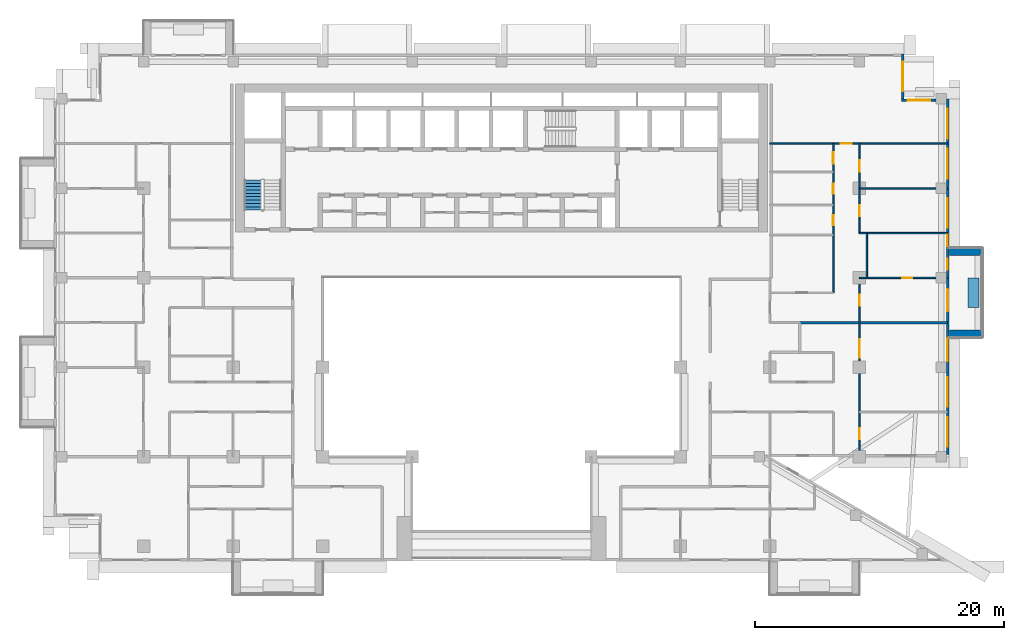
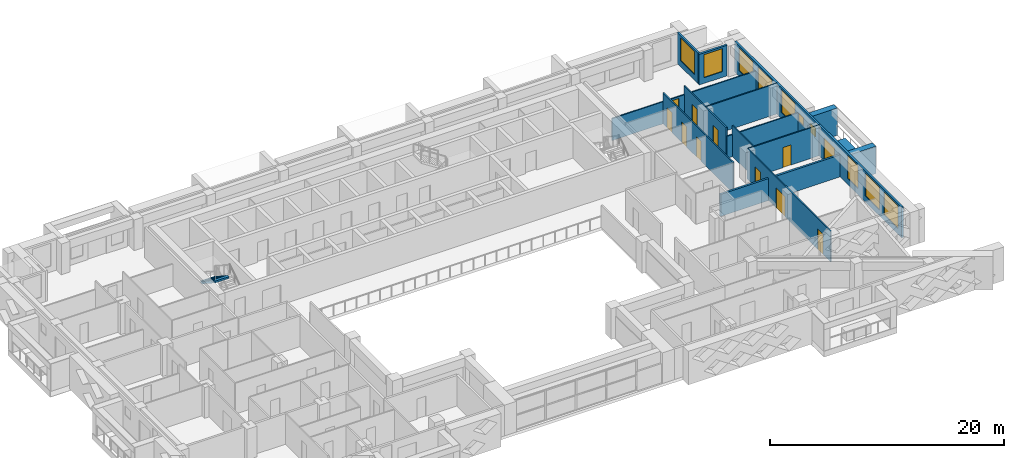
# One storey, part 12 of 20: 15 walls, 11 doors, 10 windows, 1 stair flight, 21 openings, 1 element without a shape of its own.
"""IFC4 building model written with IfcOpenShell, lengths in metres."""

from ifc_helpers import new_model, si_unit, direction, frame, frame_2d, origin, place, context, subcontext, project, spatial, polyline, rectangle, outline, extrude, material, layer, layer_set, type_object, element, fill, aggregate, save


model = new_model("IFC4")

# Units and contexts
model_context = context("Model", 3, precision=1e-05, world=origin(), true_north=direction((0.0, 1.0)))
body_context = subcontext(model_context, "Body", "Model", "MODEL_VIEW")
ifc_project = project(units=[si_unit("LENGTHUNIT", "METRE"), si_unit("AREAUNIT", "SQUARE_METRE"), si_unit("VOLUMEUNIT", "CUBIC_METRE"), si_unit("PLANEANGLEUNIT", "RADIAN"), si_unit("MASSUNIT", "GRAM", prefix="KILO")], contexts=[model_context])

# Site, building, storey
site_placement = place(None, origin())
site = spatial("IfcSite", under=ifc_project, at=site_placement, CompositionType="ELEMENT")
building_placement = place(site_placement, origin())
building = spatial("IfcBuilding", under=site, at=building_placement, Name="Saffron Iwan Residences", CompositionType="ELEMENT")
storey_placement = place(building_placement, frame((0.0, 0.0, 150.0)))
storey = spatial("IfcBuildingStorey", under=building, at=storey_placement, Name="L39", CompositionType="ELEMENT", Elevation=150.0)

# Walls
ifc_material_1 = material(Name="Concrete C50/60 white painted", Category="concrete")
ifc_layer_1 = layer(ifc_material_1, 0.60009765625)
ifc_layer_set_1 = layer_set([ifc_layer_1], Name="Concrete C50/60 white painted")
wall_type_1 = type_object("IfcWallType", Name="BALCONY FIN 600", PredefinedType="SOLIDWALL", material=ifc_layer_set_1)
for number, where, z_axis, x_axis, name in (
    (1, (86.449951171875, 57.89990234375, 0.0), (0.0, 0.0, 1.0), (1.0, 0.0, 0.0), "Balcony fin L39 F2-0a"),
    (2, (86.449951171875, 64.5, 0.0), (0.0, 0.0, 1.0), (1.0, 0.0, 0.0), "Balcony fin L39 F2-0b"),
):
    element("IfcWall", number, at=place(storey_placement, frame(where, z_axis=z_axis, x_axis=x_axis)), inside=storey, type_object=wall_type_1, Name=name, PredefinedType="SOLIDWALL", context=body_context, shape_type="SweptSolid", body=[
        extrude(rectangle(XDim=2.650146484375, YDim=0.60009765625, at=frame_2d((1.3251953125, 0.0))), origin(), (0.0, 0.0, 1.0), 2.85009765625),
    ])
ifc_material_2 = material(Name="Concrete C35/45 white painted", Category="concrete")
ifc_layer_2 = layer(ifc_material_2, 0.14990234375)
ifc_layer_set_2 = layer_set([ifc_layer_2], Name="Concrete C35/45 white painted")
wall_type_2 = type_object("IfcWallType", Name="BALCONY PLANTER", PredefinedType="SOLIDWALL", material=ifc_layer_set_2)
wall_1_placement = place(storey_placement, frame((88.375, 60.0, 0.0), z_axis=(0.0, 0.0, 1.0), x_axis=(0.0, 1.0, 0.0)))
element("IfcWall", 3, at=wall_1_placement, inside=storey, type_object=wall_type_2, Name="PLANTER L39 F2-0", PredefinedType="SOLIDWALL", context=body_context, shape_type="SweptSolid", body=[
    extrude(rectangle(XDim=2.39990234375, YDim=0.89990234375, at=frame_2d((1.199951171875, 0.0))), origin(), (0.0, 0.0, 1.0), 0.89990234375),
])

# Wall, openings, door, windows
ifc_material_3 = material(Name="Concrete C40/50", Category="concrete")
ifc_layer_3 = layer(ifc_material_3, 0.199951171875)
ifc_layer_set_3 = layer_set([ifc_layer_3], Name="Concrete C40/50")
wall_type_3 = type_object("IfcWallType", Name="EXTERNAL WALL 200", PredefinedType="SOLIDWALL", material=ifc_layer_set_3)
wall_2_placement = place(storey_placement, frame((86.300048828125, 48.199951171875, 0.0), z_axis=(0.0, 0.0, 1.0), x_axis=(0.0, 1.0, 0.0)))
wall_2 = element("IfcWall", 4, at=wall_2_placement, inside=storey, type_object=wall_type_3, Name="External wall L39 F2.0", PredefinedType="SOLIDWALL", context=body_context, shape_type="SweptSolid", body=[
    extrude(rectangle(XDim=28.60009765625, YDim=0.199951171875, at=frame_2d((14.300048828125, 0.0))), origin(), (0.0, 0.0, 1.0), 3.199951171875),
])
opening_1_placement = place(wall_2_placement, frame((11.5, 0.0, 0.0)))
opening_1 = element("IfcOpeningElement", 5, at=opening_1_placement, cuts=wall_2, Name="Opening BD1", PredefinedType="OPENING", context=body_context, shape_type="SweptSolid", body=[
    extrude(rectangle(XDim=1.800048828125, YDim=2.39990234375, at=frame_2d((0.89990234375, 1.199951171875))), frame((0.0, 0.10986328125, 0.0), z_axis=(0.0, -1.0, 0.0), x_axis=(1.0, 0.0, 0.0)), (0.0, 0.0, 1.0), 0.219970703125),
])
opening_2_placement = place(wall_2_placement, frame((0.60009765625, 0.0, 0.60009765625)))
opening_2 = element("IfcOpeningElement", 6, at=opening_2_placement, cuts=wall_2, Name="Opening W1", PredefinedType="OPENING", context=body_context, shape_type="SweptSolid", body=[
    extrude(rectangle(XDim=2.39990234375, YDim=2.39990234375, at=frame_2d((1.199951171875, 1.199951171875))), frame((0.0, 0.10986328125, 0.0), z_axis=(0.0, -1.0, 0.0), x_axis=(1.0, 0.0, 0.0)), (0.0, 0.0, 1.0), 0.219970703125),
])
opening_3_placement = place(wall_2_placement, frame((3.8125, 0.0, 0.60009765625)))
opening_3 = element("IfcOpeningElement", 7, at=opening_3_placement, cuts=wall_2, Name="Opening W1", PredefinedType="OPENING", context=body_context, shape_type="SweptSolid", body=[
    extrude(rectangle(XDim=2.39990234375, YDim=2.39990234375, at=frame_2d((1.199951171875, 1.199951171875))), frame((0.0, 0.10986328125, 0.0), z_axis=(0.0, -1.0, 0.0), x_axis=(1.0, 0.0, 0.0)), (0.0, 0.0, 1.0), 0.219970703125),
])
opening_4_placement = place(wall_2_placement, frame((7.487548828125, 0.0, 0.60009765625)))
opening_4 = element("IfcOpeningElement", 8, at=opening_4_placement, cuts=wall_2, Name="Opening W8", PredefinedType="OPENING", context=body_context, shape_type="SweptSolid", body=[
    extrude(rectangle(XDim=1.800048828125, YDim=2.39990234375, at=frame_2d((0.89990234375, 1.199951171875))), frame((0.0, 0.10986328125, 0.0), z_axis=(0.0, -1.0, 0.0), x_axis=(1.0, 0.0, 0.0)), (0.0, 0.0, 1.0), 0.219970703125),
])
opening_5_placement = place(wall_2_placement, frame((14.83740234375, 0.0, 1.5)))
opening_5 = element("IfcOpeningElement", 9, at=opening_5_placement, cuts=wall_2, Name="Opening W6", PredefinedType="OPENING", context=body_context, shape_type="SweptSolid", body=[
    extrude(rectangle(XDim=0.89990234375, YDim=0.89990234375, at=frame_2d((0.449951171875, 0.449951171875))), frame((0.0, 0.10986328125, 0.0), z_axis=(0.0, -1.0, 0.0), x_axis=(1.0, 0.0, 0.0)), (0.0, 0.0, 1.0), 0.219970703125),
])
opening_6_placement = place(wall_2_placement, frame((16.75, 0.0, 1.5)))
opening_6 = element("IfcOpeningElement", 10, at=opening_6_placement, cuts=wall_2, Name="Opening W6", PredefinedType="OPENING", context=body_context, shape_type="SweptSolid", body=[
    extrude(rectangle(XDim=0.89990234375, YDim=0.89990234375, at=frame_2d((0.449951171875, 0.449951171875))), frame((0.0, 0.10986328125, 0.0), z_axis=(0.0, -1.0, 0.0), x_axis=(1.0, 0.0, 0.0)), (0.0, 0.0, 1.0), 0.219970703125),
])
opening_7_placement = place(wall_2_placement, frame((18.21240234375, 0.0, 0.60009765625)))
opening_7 = element("IfcOpeningElement", 11, at=opening_7_placement, cuts=wall_2, Name="Opening W1", PredefinedType="OPENING", context=body_context, shape_type="SweptSolid", body=[
    extrude(rectangle(XDim=2.39990234375, YDim=2.39990234375, at=frame_2d((1.199951171875, 1.199951171875))), frame((0.0, 0.10986328125, 0.0), z_axis=(0.0, -1.0, 0.0), x_axis=(1.0, 0.0, 0.0)), (0.0, 0.0, 1.0), 0.219970703125),
])
opening_8_placement = place(wall_2_placement, frame((22.1875, 0.0, 0.60009765625)))
opening_8 = element("IfcOpeningElement", 12, at=opening_8_placement, cuts=wall_2, Name="Opening W1", PredefinedType="OPENING", context=body_context, shape_type="SweptSolid", body=[
    extrude(rectangle(XDim=2.39990234375, YDim=2.39990234375, at=frame_2d((1.199951171875, 1.199951171875))), frame((0.0, 0.10986328125, 0.0), z_axis=(0.0, -1.0, 0.0), x_axis=(1.0, 0.0, 0.0)), (0.0, 0.0, 1.0), 0.219970703125),
])
opening_9_placement = place(wall_2_placement, frame((25.41259765625, 0.0, 0.60009765625)))
opening_9 = element("IfcOpeningElement", 13, at=opening_9_placement, cuts=wall_2, Name="Opening W1", PredefinedType="OPENING", context=body_context, shape_type="SweptSolid", body=[
    extrude(rectangle(XDim=2.39990234375, YDim=2.39990234375, at=frame_2d((1.199951171875, 1.199951171875))), frame((0.0, 0.10986328125, 0.0), z_axis=(0.0, -1.0, 0.0), x_axis=(1.0, 0.0, 0.0)), (0.0, 0.0, 1.0), 0.219970703125),
])
ifc_material_4 = material(Name="Clear glass, laminated double glazed", Category="glass")
door_type_1 = type_object("IfcDoorType", Name="BALCONY DOOR 1800 x 2400", OperationType="DOUBLE_DOOR_SLIDING", PredefinedType="DOOR", material=ifc_material_4)
door_1_placement = place(opening_1_placement, origin())
door_1 = element("IfcDoor", 14, at=door_1_placement, inside=storey, type_object=door_type_1, Name="Balcony door L39 F2.0", OperationType="DOUBLE_DOOR_SLIDING", OverallHeight=2.39990234375, OverallWidth=1.800048828125, PredefinedType="DOOR", context=body_context, shape_type="SweptSolid", body=[
    extrude(rectangle(XDim=1.800048828125, YDim=2.39990234375, at=frame_2d((0.89990234375, 1.199951171875))), frame((0.0, 0.02490234375, 0.0), z_axis=(0.0, -1.0, 0.0), x_axis=(1.0, 0.0, 0.0)), (0.0, 0.0, 1.0), 0.050048828125),
])
fill(opening_1, door_1)
window_type_1 = type_object("IfcWindowType", Name="WINDOW 1800 x 2400", PartitioningType="DOUBLE_PANEL_VERTICAL", PredefinedType="WINDOW", material=ifc_material_4)
window_1_placement = place(opening_4_placement, origin())
window_1 = element("IfcWindow", 15, at=window_1_placement, inside=storey, type_object=window_type_1, Name="Window L39 F2.3", OverallHeight=2.39990234375, OverallWidth=1.800048828125, PartitioningType="DOUBLE_PANEL_VERTICAL", PredefinedType="WINDOW", context=body_context, shape_type="SweptSolid", body=[
    extrude(rectangle(XDim=1.800048828125, YDim=2.39990234375, at=frame_2d((0.89990234375, 1.199951171875))), frame((0.0, 0.030029296875, 0.0), z_axis=(0.0, -1.0, 0.0), x_axis=(1.0, 0.0, 0.0)), (0.0, 0.0, 1.0), 0.06005859375),
])
fill(opening_4, window_1)
window_type_2 = type_object("IfcWindowType", Name="WINDOW 2400 x 2400", PartitioningType="DOUBLE_PANEL_VERTICAL", PredefinedType="WINDOW", material=ifc_material_4)
window_2_placement = place(opening_2_placement, origin())
window_2 = element("IfcWindow", 16, at=window_2_placement, inside=storey, type_object=window_type_2, Name="Window L39 F2.1", OverallHeight=2.39990234375, OverallWidth=2.39990234375, PartitioningType="DOUBLE_PANEL_VERTICAL", PredefinedType="WINDOW", context=body_context, shape_type="SweptSolid", body=[
    extrude(rectangle(XDim=2.39990234375, YDim=2.39990234375, at=frame_2d((1.199951171875, 1.199951171875))), frame((0.0, 0.030029296875, 0.0), z_axis=(0.0, -1.0, 0.0), x_axis=(1.0, 0.0, 0.0)), (0.0, 0.0, 1.0), 0.06005859375),
])
fill(opening_2, window_2)
window_3_placement = place(opening_3_placement, origin())
window_3 = element("IfcWindow", 17, at=window_3_placement, inside=storey, type_object=window_type_2, Name="Window L39 F2.2", OverallHeight=2.39990234375, OverallWidth=2.39990234375, PartitioningType="DOUBLE_PANEL_VERTICAL", PredefinedType="WINDOW", context=body_context, shape_type="SweptSolid", body=[
    extrude(rectangle(XDim=2.39990234375, YDim=2.39990234375, at=frame_2d((1.199951171875, 1.199951171875))), frame((0.0, 0.030029296875, 0.0), z_axis=(0.0, -1.0, 0.0), x_axis=(1.0, 0.0, 0.0)), (0.0, 0.0, 1.0), 0.06005859375),
])
fill(opening_3, window_3)
window_4_placement = place(opening_7_placement, origin())
window_4 = element("IfcWindow", 18, at=window_4_placement, inside=storey, type_object=window_type_2, Name="Window L39 F2.6", OverallHeight=2.39990234375, OverallWidth=2.39990234375, PartitioningType="DOUBLE_PANEL_VERTICAL", PredefinedType="WINDOW", context=body_context, shape_type="SweptSolid", body=[
    extrude(rectangle(XDim=2.39990234375, YDim=2.39990234375, at=frame_2d((1.199951171875, 1.199951171875))), frame((0.0, 0.030029296875, 0.0), z_axis=(0.0, -1.0, 0.0), x_axis=(1.0, 0.0, 0.0)), (0.0, 0.0, 1.0), 0.06005859375),
])
fill(opening_7, window_4)
window_5_placement = place(opening_8_placement, origin())
window_5 = element("IfcWindow", 19, at=window_5_placement, inside=storey, type_object=window_type_2, Name="Window L39 F2.7", OverallHeight=2.39990234375, OverallWidth=2.39990234375, PartitioningType="DOUBLE_PANEL_VERTICAL", PredefinedType="WINDOW", context=body_context, shape_type="SweptSolid", body=[
    extrude(rectangle(XDim=2.39990234375, YDim=2.39990234375, at=frame_2d((1.199951171875, 1.199951171875))), frame((0.0, 0.030029296875, 0.0), z_axis=(0.0, -1.0, 0.0), x_axis=(1.0, 0.0, 0.0)), (0.0, 0.0, 1.0), 0.06005859375),
])
fill(opening_8, window_5)
window_6_placement = place(opening_9_placement, origin())
window_6 = element("IfcWindow", 20, at=window_6_placement, inside=storey, type_object=window_type_2, Name="Window L39 F2.8", OverallHeight=2.39990234375, OverallWidth=2.39990234375, PartitioningType="DOUBLE_PANEL_VERTICAL", PredefinedType="WINDOW", context=body_context, shape_type="SweptSolid", body=[
    extrude(rectangle(XDim=2.39990234375, YDim=2.39990234375, at=frame_2d((1.199951171875, 1.199951171875))), frame((0.0, 0.030029296875, 0.0), z_axis=(0.0, -1.0, 0.0), x_axis=(1.0, 0.0, 0.0)), (0.0, 0.0, 1.0), 0.06005859375),
])
fill(opening_9, window_6)
window_type_3 = type_object("IfcWindowType", Name="WINDOW 900 x 900 BATH", PartitioningType="SINGLE_PANEL", PredefinedType="WINDOW", material=ifc_material_4)
window_7_placement = place(opening_5_placement, origin())
window_7 = element("IfcWindow", 21, at=window_7_placement, inside=storey, type_object=window_type_3, Name="Window L39 F2.4", OverallHeight=0.89990234375, OverallWidth=0.89990234375, PartitioningType="SINGLE_PANEL", PredefinedType="WINDOW", context=body_context, shape_type="SweptSolid", body=[
    extrude(rectangle(XDim=0.89990234375, YDim=0.89990234375, at=frame_2d((0.449951171875, 0.449951171875))), frame((0.0, 0.030029296875, 0.0), z_axis=(0.0, -1.0, 0.0), x_axis=(1.0, 0.0, 0.0)), (0.0, 0.0, 1.0), 0.06005859375),
])
fill(opening_5, window_7)
window_8_placement = place(opening_6_placement, origin())
window_8 = element("IfcWindow", 22, at=window_8_placement, inside=storey, type_object=window_type_3, Name="Window L39 F2.5", OverallHeight=0.89990234375, OverallWidth=0.89990234375, PartitioningType="SINGLE_PANEL", PredefinedType="WINDOW", context=body_context, shape_type="SweptSolid", body=[
    extrude(rectangle(XDim=0.89990234375, YDim=0.89990234375, at=frame_2d((0.449951171875, 0.449951171875))), frame((0.0, 0.030029296875, 0.0), z_axis=(0.0, -1.0, 0.0), x_axis=(1.0, 0.0, 0.0)), (0.0, 0.0, 1.0), 0.06005859375),
])
fill(opening_6, window_8)

# Wall, opening, window
wall_3_placement = place(storey_placement, frame((85.375, 76.699951171875, 0.0), z_axis=(0.0, 0.0, 1.0), x_axis=(-1.0, 0.0, 0.0)))
wall_3 = element("IfcWall", 23, at=wall_3_placement, inside=storey, type_object=wall_type_3, Name="External wall L39 F3.0", PredefinedType="SOLIDWALL", context=body_context, shape_type="SweptSolid", body=[
    extrude(rectangle(XDim=2.77490234375, YDim=0.199951171875, at=frame_2d((1.387451171875, 0.0))), origin(), (0.0, 0.0, 1.0), 3.199951171875),
])
opening_10_placement = place(wall_3_placement, frame((0.487548828125, 0.0, 0.60009765625)))
opening_10 = element("IfcOpeningElement", 24, at=opening_10_placement, cuts=wall_3, Name="Opening W8", PredefinedType="OPENING", context=body_context, shape_type="SweptSolid", body=[
    extrude(rectangle(XDim=1.800048828125, YDim=2.39990234375, at=frame_2d((0.89990234375, 1.199951171875))), frame((0.0, 0.10986328125, 0.0), z_axis=(0.0, -1.0, 0.0), x_axis=(1.0, 0.0, 0.0)), (0.0, 0.0, 1.0), 0.219970703125),
])
window_9_placement = place(opening_10_placement, origin())
window_9 = element("IfcWindow", 25, at=window_9_placement, inside=storey, type_object=window_type_1, Name="Window L39 F3.0", OverallHeight=2.39990234375, OverallWidth=1.800048828125, PartitioningType="DOUBLE_PANEL_VERTICAL", PredefinedType="WINDOW", context=body_context, shape_type="SweptSolid", body=[
    extrude(rectangle(XDim=1.800048828125, YDim=2.39990234375, at=frame_2d((0.89990234375, 1.199951171875))), frame((0.0, 0.030029296875, 0.0), z_axis=(0.0, -1.0, 0.0), x_axis=(1.0, 0.0, 0.0)), (0.0, 0.0, 1.0), 0.06005859375),
])
fill(opening_10, window_9)

wall_4_placement = place(storey_placement, frame((82.699951171875, 76.800048828125, 0.0), z_axis=(0.0, 0.0, 1.0), x_axis=(0.0, 1.0, 0.0)))
wall_4 = element("IfcWall", 26, at=wall_4_placement, inside=storey, type_object=wall_type_3, Name="External wall L39 F4.0", PredefinedType="SOLIDWALL", context=body_context, shape_type="SweptSolid", body=[
    extrude(rectangle(XDim=3.599853515625, YDim=0.199951171875, at=frame_2d((1.7998046875, 0.0))), origin(), (0.0, 0.0, 1.0), 3.199951171875),
])
opening_11_placement = place(wall_4_placement, frame((0.60009765625, 0.0, 0.60009765625)))
opening_11 = element("IfcOpeningElement", 27, at=opening_11_placement, cuts=wall_4, Name="Opening W1", PredefinedType="OPENING", context=body_context, shape_type="SweptSolid", body=[
    extrude(rectangle(XDim=2.39990234375, YDim=2.39990234375, at=frame_2d((1.199951171875, 1.199951171875))), frame((0.0, 0.10986328125, 0.0), z_axis=(0.0, -1.0, 0.0), x_axis=(1.0, 0.0, 0.0)), (0.0, 0.0, 1.0), 0.219970703125),
])
window_10_placement = place(opening_11_placement, origin())
window_10 = element("IfcWindow", 28, at=window_10_placement, inside=storey, type_object=window_type_2, Name="Window L39 F4.0", OverallHeight=2.39990234375, OverallWidth=2.39990234375, PartitioningType="DOUBLE_PANEL_VERTICAL", PredefinedType="WINDOW", context=body_context, shape_type="SweptSolid", body=[
    extrude(rectangle(XDim=2.39990234375, YDim=2.39990234375, at=frame_2d((1.199951171875, 1.199951171875))), frame((0.0, 0.030029296875, 0.0), z_axis=(0.0, -1.0, 0.0), x_axis=(1.0, 0.0, 0.0)), (0.0, 0.0, 1.0), 0.06005859375),
])
fill(opening_11, window_10)

# Wall
ifc_material_5 = material(Name="Fire-rated gypsum board wall")
ifc_layer_4 = layer(ifc_material_5, 0.199951171875)
ifc_layer_set_4 = layer_set([ifc_layer_4], Name="Fire-rated gypsum board wall")
wall_type_4 = type_object("IfcWallType", Name="Flat demising wall 200", PredefinedType="SOLIDWALL", material=ifc_layer_set_4)
wall_5_placement = place(storey_placement, frame((74.39990234375, 58.800048828125, 0.0), z_axis=(0.0, 0.0, 1.0), x_axis=(1.0, 0.0, 0.0)))
element("IfcWall", 29, at=wall_5_placement, inside=storey, type_object=wall_type_4, Name="W-L39-DEMISE-h58.8-74.4", PredefinedType="SOLIDWALL", context=body_context, shape_type="SweptSolid", body=[
    extrude(rectangle(XDim=11.875, YDim=0.199951171875, at=frame_2d((5.9375, 0.0))), origin(), (0.0, 0.0, 1.0), 2.300048828125),
])

# Wall, opening, door
ifc_material_6 = material(Name="Gypsum board partition")
ifc_layer_5 = layer(ifc_material_6, 0.1201171875)
ifc_layer_set_5 = layer_set([ifc_layer_5], Name="Gypsum board partition")
wall_type_5 = type_object("IfcWallType", Name="Flat partition 120", PredefinedType="PARTITIONING", material=ifc_layer_set_5)
wall_6_placement = place(storey_placement, frame((79.199951171875, 62.39990234375, 0.0), z_axis=(0.0, 0.0, 1.0), x_axis=(1.0, 0.0, 0.0)))
wall_6 = element("IfcWall", 30, at=wall_6_placement, inside=storey, type_object=wall_type_5, Name="W-L39-PART-h62.4-79.2", PredefinedType="PARTITIONING", context=body_context, shape_type="SweptSolid", body=[
    extrude(rectangle(XDim=7.074951171875, YDim=0.1201171875, at=frame_2d((3.53759765625, 0.0))), origin(), (0.0, 0.0, 1.0), 3.199951171875),
])
opening_12_placement = place(wall_6_placement, frame((3.4375, 0.0, 0.0)))
opening_12 = element("IfcOpeningElement", 31, at=opening_12_placement, cuts=wall_6, Name="Opening FD3", PredefinedType="OPENING", context=body_context, shape_type="SweptSolid", body=[
    extrude(rectangle(XDim=0.800048828125, YDim=2.10009765625, at=frame_2d((0.39990234375, 1.050048828125))), frame((0.0, 0.070068359375, 0.0), z_axis=(0.0, -1.0, 0.0), x_axis=(1.0, 0.0, 0.0)), (0.0, 0.0, 1.0), 0.14013671875),
])
ifc_material_7 = material(Name="Timber door", Category="wood")
door_type_2 = type_object("IfcDoorType", Name="Bathroom door 800", OperationType="NOTDEFINED", PredefinedType="DOOR", material=ifc_material_7)
door_2_placement = place(opening_12_placement, origin())
door_2 = element("IfcDoor", 32, at=door_2_placement, inside=storey, type_object=door_type_2, Name="Door L39-033", OperationType="SINGLE_SWING_LEFT", OverallHeight=2.10009765625, OverallWidth=0.800048828125, PredefinedType="DOOR", context=body_context, shape_type="SweptSolid", body=[
    extrude(rectangle(XDim=0.800048828125, YDim=2.10009765625, at=frame_2d((0.39990234375, 1.050048828125))), frame((0.0, 0.02490234375, 0.0), z_axis=(0.0, -1.0, 0.0), x_axis=(1.0, 0.0, 0.0)), (0.0, 0.0, 1.0), 0.050048828125),
])
fill(opening_12, door_2)

# Walls
wall_7_placement = place(storey_placement, frame((79.199951171875, 66.0, 0.0), z_axis=(0.0, 0.0, 1.0), x_axis=(1.0, 0.0, 0.0)))
element("IfcWall", 33, at=wall_7_placement, inside=storey, type_object=wall_type_5, Name="W-L39-PART-h66-79.2", PredefinedType="PARTITIONING", context=body_context, shape_type="SweptSolid", body=[
    extrude(rectangle(XDim=7.074951171875, YDim=0.1201171875, at=frame_2d((3.53759765625, 0.0))), origin(), (0.0, 0.0, 1.0), 2.300048828125),
])
wall_8_placement = place(storey_placement, frame((79.199951171875, 69.60009765625, 0.0), z_axis=(0.0, 0.0, 1.0), x_axis=(1.0, 0.0, 0.0)))
element("IfcWall", 34, at=wall_8_placement, inside=storey, type_object=wall_type_5, Name="W-L39-PART-h69.6-79.2", PredefinedType="PARTITIONING", context=body_context, shape_type="SweptSolid", body=[
    extrude(rectangle(XDim=7.074951171875, YDim=0.1201171875, at=frame_2d((3.53759765625, 0.0))), origin(), (0.0, 0.0, 1.0), 3.199951171875),
])

# Wall, opening, door
wall_9_placement = place(storey_placement, frame((72.0, 73.199951171875, 0.0), z_axis=(0.0, 0.0, 1.0), x_axis=(1.0, 0.0, 0.0)))
wall_9 = element("IfcWall", 35, at=wall_9_placement, inside=storey, type_object=wall_type_5, Name="W-L39-PART-h73.2-72", PredefinedType="PARTITIONING", context=body_context, shape_type="SweptSolid", body=[
    extrude(rectangle(XDim=14.27490234375, YDim=0.1201171875, at=frame_2d((7.137451171875, 0.0))), origin(), (0.0, 0.0, 1.0), 2.300048828125),
])
opening_13_placement = place(wall_9_placement, frame((5.699951171875, 0.0, 0.0)))
opening_13 = element("IfcOpeningElement", 36, at=opening_13_placement, cuts=wall_9, Name="Opening FD2", PredefinedType="OPENING", context=body_context, shape_type="SweptSolid", body=[
    extrude(rectangle(XDim=0.89990234375, YDim=2.10009765625, at=frame_2d((0.449951171875, 1.050048828125))), frame((0.0, 0.070068359375, 0.0), z_axis=(0.0, -1.0, 0.0), x_axis=(1.0, 0.0, 0.0)), (0.0, 0.0, 1.0), 0.14013671875),
])
door_type_3 = type_object("IfcDoorType", Name="Flat door 900", OperationType="NOTDEFINED", PredefinedType="DOOR", material=ifc_material_7)
door_3_placement = place(opening_13_placement, origin())
door_3 = element("IfcDoor", 37, at=door_3_placement, inside=storey, type_object=door_type_3, Name="Door L39-036", OperationType="SINGLE_SWING_LEFT", OverallHeight=2.10009765625, OverallWidth=0.89990234375, PredefinedType="DOOR", context=body_context, shape_type="SweptSolid", body=[
    extrude(rectangle(XDim=0.89990234375, YDim=2.10009765625, at=frame_2d((0.449951171875, 1.050048828125))), frame((0.0, 0.02490234375, 0.0), z_axis=(0.0, -1.0, 0.0), x_axis=(1.0, 0.0, 0.0)), (0.0, 0.0, 1.0), 0.050048828125),
])
fill(opening_13, door_3)

# Wall, openings, doors
wall_10_placement = place(storey_placement, frame((77.10009765625, 61.199951171875, 0.0), z_axis=(0.0, 0.0, 1.0), x_axis=(0.0, 1.0, 0.0)))
wall_10 = element("IfcWall", 38, at=wall_10_placement, inside=storey, type_object=wall_type_5, Name="W-L39-PART-v77.1-61.2", PredefinedType="PARTITIONING", context=body_context, shape_type="SweptSolid", body=[
    extrude(rectangle(XDim=12.0, YDim=0.1201171875, at=frame_2d((6.0, 0.0))), origin(), (0.0, 0.0, 1.0), 3.199951171875),
])
opening_14_placement = place(wall_10_placement, frame((5.449951171875, 0.0, 0.0)))
opening_14 = element("IfcOpeningElement", 39, at=opening_14_placement, cuts=wall_10, Name="Opening FD3", PredefinedType="OPENING", context=body_context, shape_type="SweptSolid", body=[
    extrude(rectangle(XDim=0.800048828125, YDim=2.10009765625, at=frame_2d((0.39990234375, 1.050048828125))), frame((0.0, 0.070068359375, 0.0), z_axis=(0.0, -1.0, 0.0), x_axis=(1.0, 0.0, 0.0)), (0.0, 0.0, 1.0), 0.14013671875),
])
opening_15_placement = place(wall_10_placement, frame((7.97509765625, 0.0, 0.0)))
opening_15 = element("IfcOpeningElement", 40, at=opening_15_placement, cuts=wall_10, Name="Opening FD3", PredefinedType="OPENING", context=body_context, shape_type="SweptSolid", body=[
    extrude(rectangle(XDim=0.800048828125, YDim=2.10009765625, at=frame_2d((0.39990234375, 1.050048828125))), frame((0.0, 0.070068359375, 0.0), z_axis=(0.0, -1.0, 0.0), x_axis=(1.0, 0.0, 0.0)), (0.0, 0.0, 1.0), 0.14013671875),
])
opening_16_placement = place(wall_10_placement, frame((10.39990234375, 0.0, 0.0)))
opening_16 = element("IfcOpeningElement", 41, at=opening_16_placement, cuts=wall_10, Name="Opening FD2", PredefinedType="OPENING", context=body_context, shape_type="SweptSolid", body=[
    extrude(rectangle(XDim=0.89990234375, YDim=2.10009765625, at=frame_2d((0.449951171875, 1.050048828125))), frame((0.0, 0.070068359375, 0.0), z_axis=(0.0, -1.0, 0.0), x_axis=(1.0, 0.0, 0.0)), (0.0, 0.0, 1.0), 0.14013671875),
])
door_4_placement = place(opening_14_placement, origin())
door_4 = element("IfcDoor", 42, at=door_4_placement, inside=storey, type_object=door_type_2, Name="Door L39-038", OperationType="SINGLE_SWING_LEFT", OverallHeight=2.10009765625, OverallWidth=0.800048828125, PredefinedType="DOOR", context=body_context, shape_type="SweptSolid", body=[
    extrude(rectangle(XDim=0.800048828125, YDim=2.10009765625, at=frame_2d((0.39990234375, 1.050048828125))), frame((0.0, 0.02490234375, 0.0), z_axis=(0.0, -1.0, 0.0), x_axis=(1.0, 0.0, 0.0)), (0.0, 0.0, 1.0), 0.050048828125),
])
fill(opening_14, door_4)
door_5_placement = place(opening_15_placement, origin())
door_5 = element("IfcDoor", 43, at=door_5_placement, inside=storey, type_object=door_type_2, Name="Door L39-039", OperationType="SINGLE_SWING_LEFT", OverallHeight=2.10009765625, OverallWidth=0.800048828125, PredefinedType="DOOR", context=body_context, shape_type="SweptSolid", body=[
    extrude(rectangle(XDim=0.800048828125, YDim=2.10009765625, at=frame_2d((0.39990234375, 1.050048828125))), frame((0.0, 0.02490234375, 0.0), z_axis=(0.0, -1.0, 0.0), x_axis=(1.0, 0.0, 0.0)), (0.0, 0.0, 1.0), 0.050048828125),
])
fill(opening_15, door_5)
door_6_placement = place(opening_16_placement, origin())
door_6 = element("IfcDoor", 44, at=door_6_placement, inside=storey, type_object=door_type_3, Name="Door L39-040", OperationType="SINGLE_SWING_RIGHT", OverallHeight=2.10009765625, OverallWidth=0.89990234375, PredefinedType="DOOR", context=body_context, shape_type="SweptSolid", body=[
    extrude(rectangle(XDim=0.89990234375, YDim=2.10009765625, at=frame_2d((0.449951171875, 1.050048828125))), frame((0.0, 0.02490234375, 0.0), z_axis=(0.0, -1.0, 0.0), x_axis=(1.0, 0.0, 0.0)), (0.0, 0.0, 1.0), 0.050048828125),
])
fill(opening_16, door_6)

wall_11_placement = place(storey_placement, frame((79.199951171875, 48.125, 0.0), z_axis=(0.0, 0.0, 1.0), x_axis=(0.0, 1.0, 0.0)))
wall_11 = element("IfcWall", 45, at=wall_11_placement, inside=storey, type_object=wall_type_5, Name="W-L39-PART-v79.2-48.125", PredefinedType="PARTITIONING", context=body_context, shape_type="SweptSolid", body=[
    extrude(rectangle(XDim=14.27490234375, YDim=0.1201171875, at=frame_2d((7.137451171875, 0.0))), origin(), (0.0, 0.0, 1.0), 3.199951171875),
])
opening_17_placement = place(wall_11_placement, frame((1.28759765625, 0.0, 0.0)))
opening_17 = element("IfcOpeningElement", 46, at=opening_17_placement, cuts=wall_11, Name="Opening FD2", PredefinedType="OPENING", context=body_context, shape_type="SweptSolid", body=[
    extrude(rectangle(XDim=0.89990234375, YDim=2.10009765625, at=frame_2d((0.449951171875, 1.050048828125))), frame((0.0, 0.070068359375, 0.0), z_axis=(0.0, -1.0, 0.0), x_axis=(1.0, 0.0, 0.0)), (0.0, 0.0, 1.0), 0.14013671875),
])
opening_18_placement = place(wall_11_placement, frame((7.824951171875, 0.0, 0.0)))
opening_18 = element("IfcOpeningElement", 47, at=opening_18_placement, cuts=wall_11, Name="Opening FD4", PredefinedType="OPENING", context=body_context, shape_type="SweptSolid", body=[
    extrude(rectangle(XDim=1.5, YDim=2.10009765625, at=frame_2d((0.75, 1.050048828125))), frame((0.0, 0.070068359375, 0.0), z_axis=(0.0, -1.0, 0.0), x_axis=(1.0, 0.0, 0.0)), (0.0, 0.0, 1.0), 0.14013671875),
])
opening_19_placement = place(wall_11_placement, frame((12.02490234375, 0.0, 0.0)))
opening_19 = element("IfcOpeningElement", 48, at=opening_19_placement, cuts=wall_11, Name="Opening FD2", PredefinedType="OPENING", context=body_context, shape_type="SweptSolid", body=[
    extrude(rectangle(XDim=0.89990234375, YDim=2.10009765625, at=frame_2d((0.449951171875, 1.050048828125))), frame((0.0, 0.070068359375, 0.0), z_axis=(0.0, -1.0, 0.0), x_axis=(1.0, 0.0, 0.0)), (0.0, 0.0, 1.0), 0.14013671875),
])
door_type_4 = type_object("IfcDoorType", Name="Double door 1500", OperationType="NOTDEFINED", PredefinedType="DOOR", material=ifc_material_7)
door_7_placement = place(opening_18_placement, origin())
door_7 = element("IfcDoor", 49, at=door_7_placement, inside=storey, type_object=door_type_4, Name="Door L39-018", OperationType="SINGLE_SWING_RIGHT", OverallHeight=2.10009765625, OverallWidth=1.5, PredefinedType="DOOR", context=body_context, shape_type="SweptSolid", body=[
    extrude(rectangle(XDim=1.5, YDim=2.10009765625, at=frame_2d((0.75, 1.050048828125))), frame((0.0, 0.02490234375, 0.0), z_axis=(0.0, -1.0, 0.0), x_axis=(1.0, 0.0, 0.0)), (0.0, 0.0, 1.0), 0.050048828125),
])
fill(opening_18, door_7)
door_8_placement = place(opening_17_placement, origin())
door_8 = element("IfcDoor", 50, at=door_8_placement, inside=storey, type_object=door_type_3, Name="Door L39-017", OperationType="SINGLE_SWING_LEFT", OverallHeight=2.10009765625, OverallWidth=0.89990234375, PredefinedType="DOOR", context=body_context, shape_type="SweptSolid", body=[
    extrude(rectangle(XDim=0.89990234375, YDim=2.10009765625, at=frame_2d((0.449951171875, 1.050048828125))), frame((0.0, 0.02490234375, 0.0), z_axis=(0.0, -1.0, 0.0), x_axis=(1.0, 0.0, 0.0)), (0.0, 0.0, 1.0), 0.050048828125),
])
fill(opening_17, door_8)
door_9_placement = place(opening_19_placement, origin())
door_9 = element("IfcDoor", 51, at=door_9_placement, inside=storey, type_object=door_type_3, Name="Door L39-032", OperationType="SINGLE_SWING_LEFT", OverallHeight=2.10009765625, OverallWidth=0.89990234375, PredefinedType="DOOR", context=body_context, shape_type="SweptSolid", body=[
    extrude(rectangle(XDim=0.89990234375, YDim=2.10009765625, at=frame_2d((0.449951171875, 1.050048828125))), frame((0.0, 0.02490234375, 0.0), z_axis=(0.0, -1.0, 0.0), x_axis=(1.0, 0.0, 0.0)), (0.0, 0.0, 1.0), 0.050048828125),
])
fill(opening_19, door_9)

wall_12_placement = place(storey_placement, frame((79.199951171875, 66.0, 0.0), z_axis=(0.0, 0.0, 1.0), x_axis=(0.0, 1.0, 0.0)))
wall_12 = element("IfcWall", 52, at=wall_12_placement, inside=storey, type_object=wall_type_5, Name="W-L39-PART-v79.2-66", PredefinedType="PARTITIONING", context=body_context, shape_type="SweptSolid", body=[
    extrude(rectangle(XDim=7.199951171875, YDim=0.1201171875, at=frame_2d((3.60009765625, 0.0))), origin(), (0.0, 0.0, 1.0), 3.199951171875),
])
opening_20_placement = place(wall_12_placement, frame((1.35009765625, 0.0, 0.0)))
opening_20 = element("IfcOpeningElement", 53, at=opening_20_placement, cuts=wall_12, Name="Opening FD2", PredefinedType="OPENING", context=body_context, shape_type="SweptSolid", body=[
    extrude(rectangle(XDim=0.89990234375, YDim=2.10009765625, at=frame_2d((0.449951171875, 1.050048828125))), frame((0.0, 0.070068359375, 0.0), z_axis=(0.0, -1.0, 0.0), x_axis=(1.0, 0.0, 0.0)), (0.0, 0.0, 1.0), 0.14013671875),
])
opening_21_placement = place(wall_12_placement, frame((4.949951171875, 0.0, 0.0)))
opening_21 = element("IfcOpeningElement", 54, at=opening_21_placement, cuts=wall_12, Name="Opening FD2", PredefinedType="OPENING", context=body_context, shape_type="SweptSolid", body=[
    extrude(rectangle(XDim=0.89990234375, YDim=2.10009765625, at=frame_2d((0.449951171875, 1.050048828125))), frame((0.0, 0.070068359375, 0.0), z_axis=(0.0, -1.0, 0.0), x_axis=(1.0, 0.0, 0.0)), (0.0, 0.0, 1.0), 0.14013671875),
])
door_10_placement = place(opening_20_placement, origin())
door_10 = element("IfcDoor", 55, at=door_10_placement, inside=storey, type_object=door_type_3, Name="Door L39-034", OperationType="SINGLE_SWING_RIGHT", OverallHeight=2.10009765625, OverallWidth=0.89990234375, PredefinedType="DOOR", context=body_context, shape_type="SweptSolid", body=[
    extrude(rectangle(XDim=0.89990234375, YDim=2.10009765625, at=frame_2d((0.449951171875, 1.050048828125))), frame((0.0, 0.02490234375, 0.0), z_axis=(0.0, -1.0, 0.0), x_axis=(1.0, 0.0, 0.0)), (0.0, 0.0, 1.0), 0.050048828125),
])
fill(opening_20, door_10)
door_11_placement = place(opening_21_placement, origin())
door_11 = element("IfcDoor", 56, at=door_11_placement, inside=storey, type_object=door_type_3, Name="Door L39-035", OperationType="SINGLE_SWING_LEFT", OverallHeight=2.10009765625, OverallWidth=0.89990234375, PredefinedType="DOOR", context=body_context, shape_type="SweptSolid", body=[
    extrude(rectangle(XDim=0.89990234375, YDim=2.10009765625, at=frame_2d((0.449951171875, 1.050048828125))), frame((0.0, 0.02490234375, 0.0), z_axis=(0.0, -1.0, 0.0), x_axis=(1.0, 0.0, 0.0)), (0.0, 0.0, 1.0), 0.050048828125),
])
fill(opening_21, door_11)

# Wall
wall_13_placement = place(storey_placement, frame((79.800048828125, 62.39990234375, 0.0), z_axis=(0.0, 0.0, 1.0), x_axis=(0.0, 1.0, 0.0)))
element("IfcWall", 57, at=wall_13_placement, inside=storey, type_object=wall_type_5, Name="W-L39-PART-v79.8-62.4", PredefinedType="PARTITIONING", context=body_context, shape_type="SweptSolid", body=[
    extrude(rectangle(XDim=3.60009765625, YDim=0.1201171875, at=frame_2d((1.800048828125, 0.0))), origin(), (0.0, 0.0, 1.0), 3.199951171875),
])

# Stair, stair flight
ifc_material_8 = material(Name="Concrete C50/60", Category="concrete")
stair_type = type_object("IfcStairType", Name="Stair ST-CORE", PredefinedType="HALF_TURN_STAIR", material=ifc_material_8)
stair_placement = place(storey_placement, origin())
stair = element("IfcStair", 58, at=stair_placement, inside=storey, type_object=stair_type, Name="L39 Exit Stair ST-W", PredefinedType="HALF_TURN_STAIR")
ifc_layer_6 = layer(ifc_material_8, 0.14990234375)
ifc_layer_set_6 = layer_set([ifc_layer_6], Name="Concrete C50/60")
stair_flight_type = type_object("IfcStairFlightType", Name="Stair flight SFL-RC", PredefinedType="STRAIGHT", material=ifc_layer_set_6)
stair_flight_placement = place(storey_placement, frame((30.39990234375, 70.280029296875, 1.75), z_axis=(0.0, 0.0, 1.0), x_axis=(0.0, -1.0, 0.0)))
stair_flight = element("IfcStairFlight", 59, at=stair_flight_placement, type_object=stair_flight_type, Name="ST-W flight 2", NumberOfRisers=10, NumberOfTreads=9, PredefinedType="STRAIGHT", RiserHeight=0.175, TreadLength=0.27, context=body_context, shape_type="SweptSolid", body=[
    extrude(outline(polyline([(0.0, 0.0), (0.0, 0.175048828125), (0.27001953125, 0.175048828125), (0.27001953125, 0.35009765625), (0.5400390625, 0.35009765625), (0.5400390625, 0.52490234375), (0.81005859375, 0.52490234375), (0.81005859375, 0.699951171875), (1.080078125, 0.699951171875), (1.080078125, 0.875), (1.35009765625, 0.875), (1.35009765625, 1.050048828125), (1.6201171875, 1.050048828125), (1.6201171875, 1.22509765625), (1.889892578125, 1.22509765625), (1.889892578125, 1.39990234375), (2.159912109375, 1.39990234375), (2.159912109375, 1.574951171875), (2.429931640625, 1.574951171875), (2.429931640625, 1.75), (2.429931640625, 1.396484375), (0.275634765625, 0.0), (0.0, 0.0)])), frame((0.0, 0.699951171875, 0.0), z_axis=(0.0, -1.0, 0.0), x_axis=(1.0, 0.0, 0.0)), (0.0, 0.0, 1.0), 1.39990234375),
])
aggregate(stair, [stair_flight])

save(model, "model.ifc")
